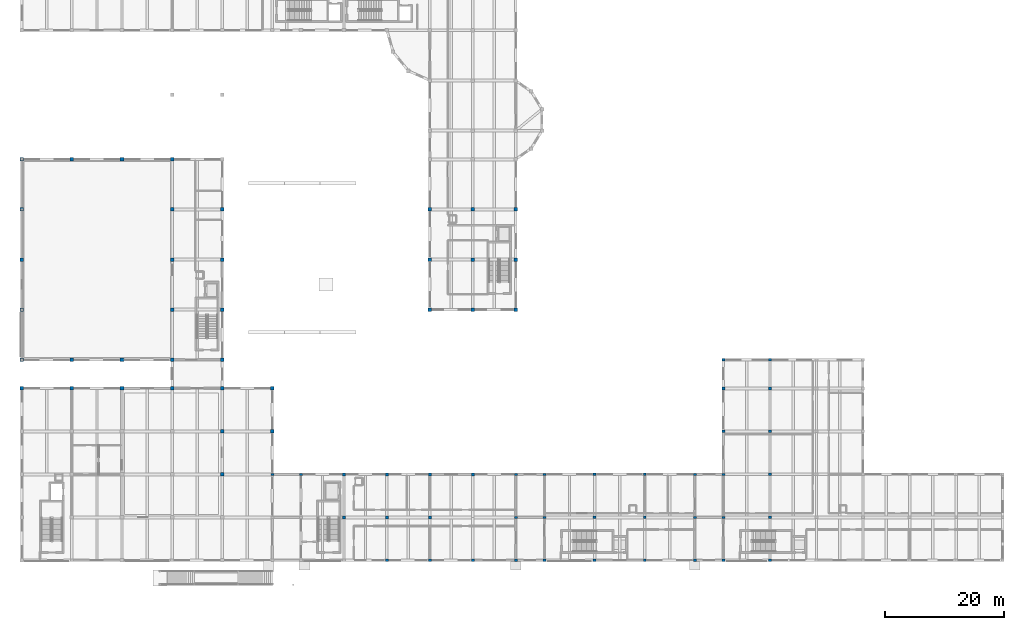
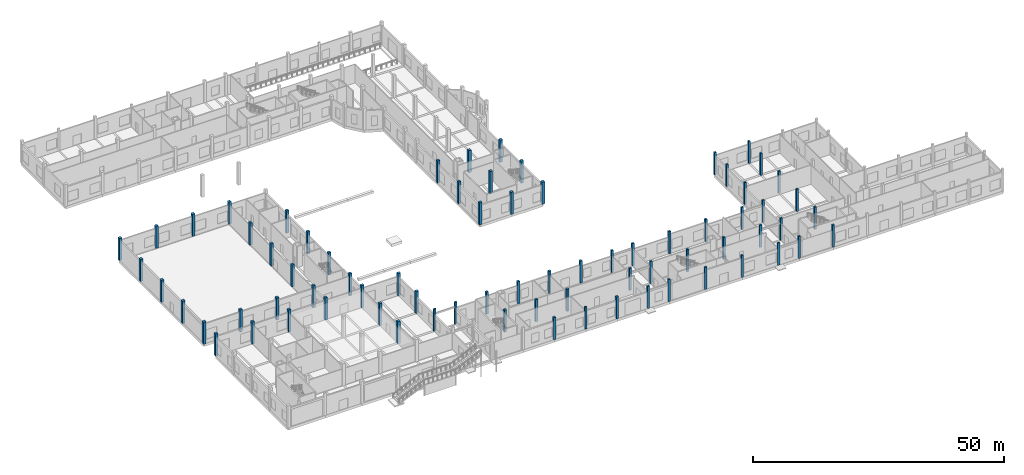
# One storey, part 5 of 41: 75 columns.
"""IFC4 building model written with IfcOpenShell, lengths in metres."""

from ifc_helpers import new_model, si_unit, direction, frame, origin, origin_2d, place, context, subcontext, project, spatial, rectangle, extrude, material, material_profile, profile_set, type_object, element, save


model = new_model("IFC4")

# Units and contexts
model_context = context("Model", 3, precision=1e-05, world=origin(), true_north=direction((0.0, 1.0)))
body_context = subcontext(model_context, "Body", "Model", "MODEL_VIEW")
ifc_project = project(units=[si_unit("LENGTHUNIT", "METRE"), si_unit("AREAUNIT", "SQUARE_METRE"), si_unit("VOLUMEUNIT", "CUBIC_METRE"), si_unit("PLANEANGLEUNIT", "RADIAN"), si_unit("MASSUNIT", "GRAM", prefix="KILO")], contexts=[model_context])

# Site, building, storey
site_placement = place(None, origin())
site = spatial("IfcSite", under=ifc_project, at=site_placement, CompositionType="ELEMENT")
building_placement = place(site_placement, origin())
building = spatial("IfcBuilding", under=site, at=building_placement, Name="Kahlenmark Community Centre", CompositionType="ELEMENT")
storey_placement = place(building_placement, origin())
storey = spatial("IfcBuildingStorey", under=building, at=storey_placement, Name="L00", CompositionType="ELEMENT", Elevation=0.0)

# Columns
ifc_material = material(Name="Concrete C35/45", Category="concrete")
ifc_material_profile_1 = material_profile(ifc_material, rectangle(XDim=0.5, YDim=0.35009765625, at=origin_2d()), Name="RC 500x350")
ifc_profile_set_1 = profile_set([ifc_material_profile_1], Name="Concrete C35/45")
column_type_1 = type_object("IfcColumnType", Name="CT-PIL500", PredefinedType="PILASTER", material=ifc_profile_set_1)
for number, where, z_axis, x_axis, name in (
    (1, (46.0, 23.199951171875, 0.0), (0.0, 0.0, 1.0), (1.0, 0.0, 0.0), "L00 pilaster (46.0, 23.2)"),
    (2, (50.800048828125, 23.199951171875, 0.0), (0.0, 0.0, 1.0), (1.0, 0.0, 0.0), "L00 pilaster (50.8, 23.2)"),
    (3, (72.39990234375, 8.800048828125, 0.0), (0.0, 0.0, 1.0), (1.0, 0.0, 0.0), "L00 pilaster (72.4, 8.8)"),
    (4, (86.800048828125, 8.800048828125, 0.0), (0.0, 0.0, 1.0), (1.0, 0.0, 0.0), "L00 pilaster (86.8, 8.8)"),
    (5, (86.800048828125, 16.0, 0.0), (0.0, 0.0, 1.0), (1.0, 0.0, 0.0), "L00 pilaster (86.8, 16.0)"),
    (6, (86.800048828125, 23.199951171875, 0.0), (0.0, 0.0, 1.0), (1.0, 0.0, 0.0), "L00 pilaster (86.8, 23.2)"),
    (7, (91.60009765625, 8.800048828125, 0.0), (0.0, 0.0, 1.0), (1.0, 0.0, 0.0), "L00 pilaster (91.6, 8.8)"),
    (8, (91.60009765625, 16.0, 0.0), (0.0, 0.0, 1.0), (1.0, 0.0, 0.0), "L00 pilaster (91.6, 16.0)"),
    (9, (91.60009765625, 23.199951171875, 0.0), (0.0, 0.0, 1.0), (1.0, 0.0, 0.0), "L00 pilaster (91.6, 23.2)"),
    (10, (100.0, 8.800048828125, 0.0), (0.0, 0.0, 1.0), (1.0, 0.0, 0.0), "L00 pilaster (100.0, 8.8)"),
    (11, (116.800048828125, 8.800048828125, 0.0), (0.0, 0.0, 1.0), (1.0, 0.0, 0.0), "L00 pilaster (116.8, 8.8)"),
    (12, (116.800048828125, 16.0, 0.0), (0.0, 0.0, 1.0), (1.0, 0.0, 0.0), "L00 pilaster (116.8, 16.0)"),
    (13, (116.800048828125, 23.199951171875, 0.0), (0.0, 0.0, 1.0), (1.0, 0.0, 0.0), "L00 pilaster (116.8, 23.2)"),
    (14, (121.60009765625, 8.800048828125, 0.0), (0.0, 0.0, 1.0), (1.0, 0.0, 0.0), "L00 pilaster (121.6, 8.8)"),
    (15, (121.60009765625, 16.0, 0.0), (0.0, 0.0, 1.0), (1.0, 0.0, 0.0), "L00 pilaster (121.6, 16.0)"),
    (16, (121.60009765625, 23.199951171875, 0.0), (0.0, 0.0, 1.0), (1.0, 0.0, 0.0), "L00 pilaster (121.6, 23.2)"),
):
    element("IfcColumn", number, at=place(storey_placement, frame(where, z_axis=z_axis, x_axis=x_axis)), inside=storey, type_object=column_type_1, Name=name, PredefinedType="PILASTER", context=body_context, shape_type="SweptSolid", body=[
        extrude(rectangle(XDim=0.5, YDim=0.35009765625, at=origin_2d()), origin(), (0.0, 0.0, 1.0), 5.39990234375),
    ])
ifc_material_profile_2 = material_profile(ifc_material, rectangle(XDim=0.449951171875, YDim=0.449951171875, at=origin_2d()), Name="RC 450x450")
ifc_profile_set_2 = profile_set([ifc_material_profile_2], Name="Concrete C35/45")
column_type_2 = type_object("IfcColumnType", Name="CT-RC450", PredefinedType="COLUMN", material=ifc_profile_set_2)
for number, where, z_axis, x_axis, name in (
    (17, (100.0, 16.0, 0.0), (0.0, 0.0, 1.0), (1.0, 0.0, 0.0), "L00 column (100.0, 16.0)"),
    (18, (100.0, 23.199951171875, 0.0), (0.0, 0.0, 1.0), (1.0, 0.0, 0.0), "L00 column (100.0, 23.2)"),
    (19, (108.39990234375, 8.800048828125, 0.0), (0.0, 0.0, 1.0), (1.0, 0.0, 0.0), "L00 column (108.4, 8.8)"),
    (20, (108.39990234375, 16.0, 0.0), (0.0, 0.0, 1.0), (1.0, 0.0, 0.0), "L00 column (108.4, 16.0)"),
    (21, (108.39990234375, 23.199951171875, 0.0), (0.0, 0.0, 1.0), (1.0, 0.0, 0.0), "L00 column (108.4, 23.2)"),
    (22, (121.60009765625, 30.39990234375, 0.0), (0.0, 0.0, 1.0), (1.0, 0.0, 0.0), "L00 column (121.6, 30.4)"),
    (23, (121.60009765625, 37.60009765625, 0.0), (0.0, 0.0, 1.0), (1.0, 0.0, 0.0), "L00 column (121.6, 37.6)"),
    (24, (121.60009765625, 42.39990234375, 0.0), (0.0, 0.0, 1.0), (1.0, 0.0, 0.0), "L00 column (121.6, 42.4)"),
    (25, (129.39990234375, 8.800048828125, 0.0), (0.0, 0.0, 1.0), (1.0, 0.0, 0.0), "L00 column (129.4, 8.8)"),
    (26, (129.39990234375, 16.0, 0.0), (0.0, 0.0, 1.0), (1.0, 0.0, 0.0), "L00 column (129.4, 16.0)"),
    (27, (129.39990234375, 23.199951171875, 0.0), (0.0, 0.0, 1.0), (1.0, 0.0, 0.0), "L00 column (129.4, 23.2)"),
    (28, (129.39990234375, 30.39990234375, 0.0), (0.0, 0.0, 1.0), (1.0, 0.0, 0.0), "L00 column (129.4, 30.4)"),
    (29, (129.39990234375, 37.60009765625, 0.0), (0.0, 0.0, 1.0), (1.0, 0.0, 0.0), "L00 column (129.4, 37.6)"),
    (30, (129.39990234375, 42.39990234375, 0.0), (0.0, 0.0, 1.0), (1.0, 0.0, 0.0), "L00 column (129.4, 42.4)"),
):
    element("IfcColumn", number, at=place(storey_placement, frame(where, z_axis=z_axis, x_axis=x_axis)), inside=storey, type_object=column_type_2, Name=name, PredefinedType="COLUMN", context=body_context, shape_type="SweptSolid", body=[
        extrude(rectangle(XDim=0.449951171875, YDim=0.449951171875, at=origin_2d()), origin(), (0.0, 0.0, 1.0), 5.39990234375),
    ])
ifc_material_profile_3 = material_profile(ifc_material, rectangle(XDim=0.5, YDim=0.5, at=origin_2d()), Name="RC 500x500")
ifc_profile_set_3 = profile_set([ifc_material_profile_3], Name="Concrete C35/45")
column_type_3 = type_object("IfcColumnType", Name="CT-RC500", PredefinedType="COLUMN", material=ifc_profile_set_3)
for number, where, z_axis, x_axis, name in (
    (31, (58.0, 16.0, 0.0), (0.0, 0.0, 1.0), (1.0, 0.0, 0.0), "L00 column (58.0, 16.0)"),
    (32, (58.0, 23.199951171875, 0.0), (0.0, 0.0, 1.0), (1.0, 0.0, 0.0), "L00 column (58.0, 23.2)"),
    (33, (65.199951171875, 8.800048828125, 0.0), (0.0, 0.0, 1.0), (1.0, 0.0, 0.0), "L00 column (65.2, 8.8)"),
    (34, (65.199951171875, 16.0, 0.0), (0.0, 0.0, 1.0), (1.0, 0.0, 0.0), "L00 column (65.2, 16.0)"),
    (35, (65.199951171875, 23.199951171875, 0.0), (0.0, 0.0, 1.0), (1.0, 0.0, 0.0), "L00 column (65.2, 23.2)"),
    (36, (72.39990234375, 16.0, 0.0), (0.0, 0.0, 1.0), (1.0, 0.0, 0.0), "L00 column (72.4, 16.0)"),
    (37, (72.39990234375, 23.199951171875, 0.0), (0.0, 0.0, 1.0), (1.0, 0.0, 0.0), "L00 column (72.4, 23.2)"),
    (38, (79.60009765625, 8.800048828125, 0.0), (0.0, 0.0, 1.0), (1.0, 0.0, 0.0), "L00 column (79.6, 8.8)"),
    (39, (79.60009765625, 23.199951171875, 0.0), (0.0, 0.0, 1.0), (1.0, 0.0, 0.0), "L00 column (79.6, 23.2)"),
):
    element("IfcColumn", number, at=place(storey_placement, frame(where, z_axis=z_axis, x_axis=x_axis)), inside=storey, type_object=column_type_3, Name=name, PredefinedType="COLUMN", context=body_context, shape_type="SweptSolid", body=[
        extrude(rectangle(XDim=0.5, YDim=0.5, at=origin_2d()), origin(), (0.0, 0.0, 1.0), 5.39990234375),
    ])
ifc_material_profile_4 = material_profile(ifc_material, rectangle(XDim=0.60009765625, YDim=0.60009765625, at=origin_2d()), Name="RC 600x600")
ifc_profile_set_4 = profile_set([ifc_material_profile_4], Name="Concrete C35/45")
column_type_4 = type_object("IfcColumnType", Name="CT-RC600", PredefinedType="COLUMN", material=ifc_profile_set_4)
for number, where, z_axis, x_axis, name in (
    (40, (4.0, 37.60009765625, 0.0), (0.0, 0.0, 1.0), (1.0, 0.0, 0.0), "L00 column (4.0, 37.6)"),
    (41, (4.0, 42.39990234375, 0.0), (0.0, 0.0, 1.0), (1.0, 0.0, 0.0), "L00 column (4.0, 42.4)"),
    (42, (4.0, 50.800048828125, 0.0), (0.0, 0.0, 1.0), (1.0, 0.0, 0.0), "L00 column (4.0, 50.8)"),
    (43, (4.0, 59.199951171875, 0.0), (0.0, 0.0, 1.0), (1.0, 0.0, 0.0), "L00 column (4.0, 59.2)"),
    (44, (4.0, 67.60009765625, 0.0), (0.0, 0.0, 1.0), (1.0, 0.0, 0.0), "L00 column (4.0, 67.6)"),
    (45, (4.0, 76.0, 0.0), (0.0, 0.0, 1.0), (1.0, 0.0, 0.0), "L00 column (4.0, 76.0)"),
    (46, (12.39990234375, 37.60009765625, 0.0), (0.0, 0.0, 1.0), (1.0, 0.0, 0.0), "L00 column (12.4, 37.6)"),
    (47, (12.39990234375, 42.39990234375, 0.0), (0.0, 0.0, 1.0), (1.0, 0.0, 0.0), "L00 column (12.4, 42.4)"),
    (48, (12.39990234375, 76.0, 0.0), (0.0, 0.0, 1.0), (1.0, 0.0, 0.0), "L00 column (12.4, 76.0)"),
    (49, (20.800048828125, 37.60009765625, 0.0), (0.0, 0.0, 1.0), (1.0, 0.0, 0.0), "L00 column (20.8, 37.6)"),
    (50, (20.800048828125, 42.39990234375, 0.0), (0.0, 0.0, 1.0), (1.0, 0.0, 0.0), "L00 column (20.8, 42.4)"),
    (51, (20.800048828125, 76.0, 0.0), (0.0, 0.0, 1.0), (1.0, 0.0, 0.0), "L00 column (20.8, 76.0)"),
    (52, (29.199951171875, 37.60009765625, 0.0), (0.0, 0.0, 1.0), (1.0, 0.0, 0.0), "L00 column (29.2, 37.6)"),
    (53, (29.199951171875, 42.39990234375, 0.0), (0.0, 0.0, 1.0), (1.0, 0.0, 0.0), "L00 column (29.2, 42.4)"),
    (54, (29.199951171875, 50.800048828125, 0.0), (0.0, 0.0, 1.0), (1.0, 0.0, 0.0), "L00 column (29.2, 50.8)"),
    (55, (29.199951171875, 59.199951171875, 0.0), (0.0, 0.0, 1.0), (1.0, 0.0, 0.0), "L00 column (29.2, 59.2)"),
    (56, (29.199951171875, 67.60009765625, 0.0), (0.0, 0.0, 1.0), (1.0, 0.0, 0.0), "L00 column (29.2, 67.6)"),
    (57, (29.199951171875, 76.0, 0.0), (0.0, 0.0, 1.0), (1.0, 0.0, 0.0), "L00 column (29.2, 76.0)"),
    (58, (37.60009765625, 23.199951171875, 0.0), (0.0, 0.0, 1.0), (1.0, 0.0, 0.0), "L00 column (37.6, 23.2)"),
    (59, (37.60009765625, 30.39990234375, 0.0), (0.0, 0.0, 1.0), (1.0, 0.0, 0.0), "L00 column (37.6, 30.4)"),
    (60, (37.60009765625, 37.60009765625, 0.0), (0.0, 0.0, 1.0), (1.0, 0.0, 0.0), "L00 column (37.6, 37.6)"),
    (61, (37.60009765625, 42.39990234375, 0.0), (0.0, 0.0, 1.0), (1.0, 0.0, 0.0), "L00 column (37.6, 42.4)"),
    (62, (37.60009765625, 50.800048828125, 0.0), (0.0, 0.0, 1.0), (1.0, 0.0, 0.0), "L00 column (37.6, 50.8)"),
    (63, (37.60009765625, 59.199951171875, 0.0), (0.0, 0.0, 1.0), (1.0, 0.0, 0.0), "L00 column (37.6, 59.2)"),
    (64, (37.60009765625, 67.60009765625, 0.0), (0.0, 0.0, 1.0), (1.0, 0.0, 0.0), "L00 column (37.6, 67.6)"),
    (65, (46.0, 30.39990234375, 0.0), (0.0, 0.0, 1.0), (1.0, 0.0, 0.0), "L00 column (46.0, 30.4)"),
    (66, (46.0, 37.60009765625, 0.0), (0.0, 0.0, 1.0), (1.0, 0.0, 0.0), "L00 column (46.0, 37.6)"),
    (67, (72.39990234375, 50.800048828125, 0.0), (0.0, 0.0, 1.0), (1.0, 0.0, 0.0), "L00 column (72.4, 50.8)"),
    (68, (72.39990234375, 59.199951171875, 0.0), (0.0, 0.0, 1.0), (1.0, 0.0, 0.0), "L00 column (72.4, 59.2)"),
    (69, (72.39990234375, 67.60009765625, 0.0), (0.0, 0.0, 1.0), (1.0, 0.0, 0.0), "L00 column (72.4, 67.6)"),
    (70, (79.60009765625, 50.800048828125, 0.0), (0.0, 0.0, 1.0), (1.0, 0.0, 0.0), "L00 column (79.6, 50.8)"),
    (71, (79.60009765625, 59.199951171875, 0.0), (0.0, 0.0, 1.0), (1.0, 0.0, 0.0), "L00 column (79.6, 59.2)"),
    (72, (79.60009765625, 67.60009765625, 0.0), (0.0, 0.0, 1.0), (1.0, 0.0, 0.0), "L00 column (79.6, 67.6)"),
    (73, (86.800048828125, 50.800048828125, 0.0), (0.0, 0.0, 1.0), (1.0, 0.0, 0.0), "L00 column (86.8, 50.8)"),
    (74, (86.800048828125, 59.199951171875, 0.0), (0.0, 0.0, 1.0), (1.0, 0.0, 0.0), "L00 column (86.8, 59.2)"),
    (75, (86.800048828125, 67.60009765625, 0.0), (0.0, 0.0, 1.0), (1.0, 0.0, 0.0), "L00 column (86.8, 67.6)"),
):
    element("IfcColumn", number, at=place(storey_placement, frame(where, z_axis=z_axis, x_axis=x_axis)), inside=storey, type_object=column_type_4, Name=name, PredefinedType="COLUMN", context=body_context, shape_type="SweptSolid", body=[
        extrude(rectangle(XDim=0.60009765625, YDim=0.60009765625, at=origin_2d()), origin(), (0.0, 0.0, 1.0), 5.39990234375),
    ])

save(model, "model.ifc")
